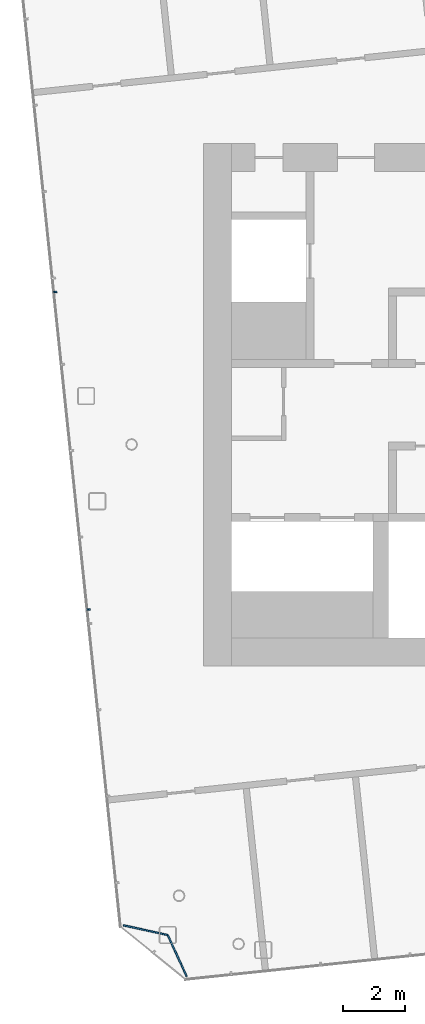
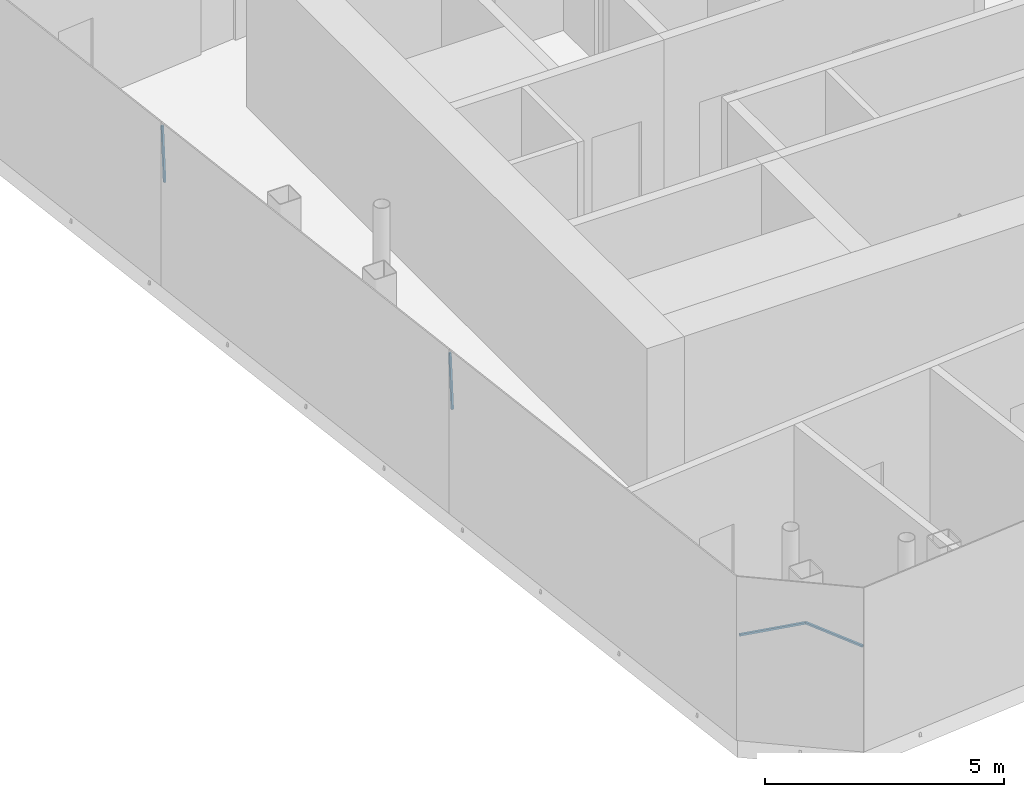
# One storey, part 12 of 28: 4 discrete accessories.
"""IFC4 building model written with IfcOpenShell, lengths in metres."""

from ifc_helpers import new_model, si_unit, direction, frame, origin, origin_2d, place, context, subcontext, project, spatial, rectangle, extrude, material, material_profile, profile_set, type_object, element, save


model = new_model("IFC4")

# Units and contexts
model_context = context("Model", 3, precision=1e-05, world=origin(), true_north=direction((0.0, 1.0)))
body_context = subcontext(model_context, "Body", "Model", "MODEL_VIEW")
ifc_project = project(units=[si_unit("LENGTHUNIT", "METRE"), si_unit("AREAUNIT", "SQUARE_METRE"), si_unit("VOLUMEUNIT", "CUBIC_METRE"), si_unit("PLANEANGLEUNIT", "RADIAN"), si_unit("MASSUNIT", "GRAM", prefix="KILO")], contexts=[model_context])

# Site, building, storey
site_placement = place(None, origin())
site = spatial("IfcSite", under=ifc_project, at=site_placement, CompositionType="ELEMENT")
building_placement = place(site_placement, origin())
building = spatial("IfcBuilding", under=site, at=building_placement, Name="Hakoniwa Tower and Hamabe Station Hall", CompositionType="ELEMENT")
storey_placement = place(building_placement, frame((0.0, 0.0, 280.800048828125)))
storey = spatial("IfcBuildingStorey", under=building, at=storey_placement, Name="L78", CompositionType="ELEMENT", Elevation=280.800048828125)

# Discrete accessories
ifc_material = material(Name="Stainless steel SUS304", Category="steel")
ifc_material_profile = material_profile(ifc_material, rectangle(XDim=0.050048828125, YDim=0.050048828125, at=origin_2d()), Name="CW-4 GLAZING BRACKET 50X50")
ifc_profile_set = profile_set([ifc_material_profile], Name="Stainless steel SUS304")
discrete_accessory_type = type_object("IfcDiscreteAccessoryType", Name="CW-4 GLAZING BRACKET 50X50", PredefinedType="BRACKET", material=ifc_profile_set)
for number, where, z_axis, x_axis, name in (
    (1, (-38.338134765625, 3.628662109375, 2.63330078125), (-0.04058545862, -0.00415834617, 0.999167417756), (0.101925414299, -0.994792043555, 0.0), "Glazing bracket"),
    (2, (-37.265625, -6.574951171875, 2.63330078125), (-0.040585429987, -0.004324676966, 0.999166712837), (0.105957528947, -0.994370656274, 0.0), "Glazing bracket"),
):
    element("IfcDiscreteAccessory", number, at=place(storey_placement, frame(where, z_axis=z_axis, x_axis=x_axis)), inside=storey, type_object=discrete_accessory_type, Name=name, PredefinedType="BRACKET", context=body_context, shape_type="SweptSolid", body=[
        extrude(rectangle(XDim=0.050048828125, YDim=0.050048828125, at=origin_2d()), origin(), (0.0, 0.0, 1.0), 1.4677734375),
    ])
discrete_accessory_1_placement = place(storey_placement, frame((-36.176513671875, -16.730712890625, 2.63330078125), z_axis=(0.976917474903, -0.21361705744, 0.0), x_axis=(0.21361705744, 0.976917474903, 0.0)))
element("IfcDiscreteAccessory", 3, at=discrete_accessory_1_placement, inside=storey, type_object=discrete_accessory_type, Name="Glazing bracket", PredefinedType="BRACKET", context=body_context, shape_type="SweptSolid", body=[
    extrude(rectangle(XDim=0.050048828125, YDim=0.050048828125, at=origin_2d()), origin(), (0.0, 0.0, 1.0), 1.45947265625),
])
discrete_accessory_2_placement = place(storey_placement, frame((-34.142822265625, -18.375244140625, 2.63330078125), z_axis=(-0.414995498476, 0.90982346433, 0.0), x_axis=(-0.90982346433, -0.414995498476, 0.0)))
element("IfcDiscreteAccessory", 4, at=discrete_accessory_2_placement, inside=storey, type_object=discrete_accessory_type, Name="Glazing bracket", PredefinedType="BRACKET", context=body_context, shape_type="SweptSolid", body=[
    extrude(rectangle(XDim=0.050048828125, YDim=0.050048828125, at=origin_2d()), origin(), (0.0, 0.0, 1.0), 1.46484375),
])

save(model, "model.ifc")
